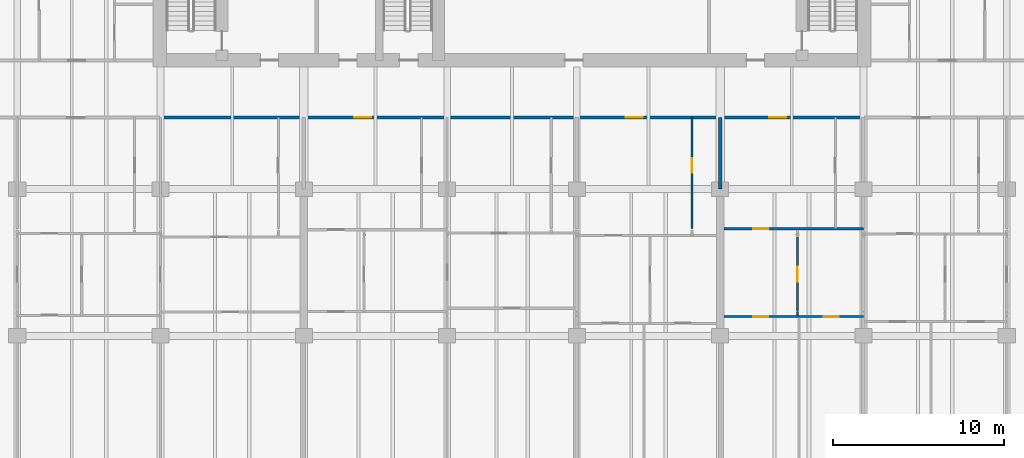
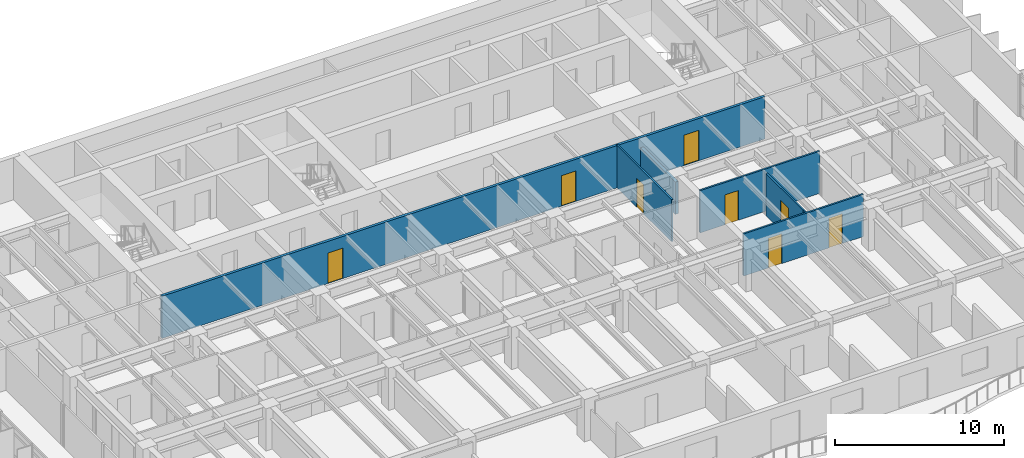
# One storey, part 10 of 19: 8 doors, 7 walls, 8 openings.
"""IFC4 building model written with IfcOpenShell, lengths in metres."""

from ifc_helpers import new_model, si_unit, direction, frame, frame_2d, origin, place, context, subcontext, project, spatial, rectangle, extrude, material, layer, layer_set, type_object, element, fill, save


model = new_model("IFC4")

# Units and contexts
model_context = context("Model", 3, precision=1e-05, world=origin(), true_north=direction((0.0, 1.0)))
body_context = subcontext(model_context, "Body", "Model", "MODEL_VIEW")
ifc_project = project(units=[si_unit("LENGTHUNIT", "METRE"), si_unit("AREAUNIT", "SQUARE_METRE"), si_unit("VOLUMEUNIT", "CUBIC_METRE"), si_unit("PLANEANGLEUNIT", "RADIAN"), si_unit("MASSUNIT", "GRAM", prefix="KILO")], contexts=[model_context])

# Site, building, storey
site_placement = place(None, origin())
site = spatial("IfcSite", under=ifc_project, at=site_placement, CompositionType="ELEMENT")
building_placement = place(site_placement, origin())
building = spatial("IfcBuilding", under=site, at=building_placement, Name="Caelmar Bay Residences", CompositionType="ELEMENT")
storey_placement = place(building_placement, frame((0.0, 0.0, 115.800048828125)))
storey = spatial("IfcBuildingStorey", under=building, at=storey_placement, Name="L31", CompositionType="ELEMENT", Elevation=115.800048828125)

# Wall, openings, doors
ifc_material_1 = material(Name="Double-stud acoustic fire-rated gypsum partition 180 mm")
ifc_layer_1 = layer(ifc_material_1, 0.179931640625)
ifc_layer_set_1 = layer_set([ifc_layer_1], Name="Double-stud acoustic fire-rated gypsum partition 180 mm")
wall_type_1 = type_object("IfcWallType", Name="W-COR-200", PredefinedType="PARTITIONING", material=ifc_layer_set_1)
wall_1_placement = place(storey_placement, frame((18.300048828125, 33.60009765625, 0.0), z_axis=(0.0, 0.0, 1.0), x_axis=(1.0, 0.0, 0.0)))
wall_1 = element("IfcWall", 1, at=wall_1_placement, inside=storey, type_object=wall_type_1, Name="L31 Partition Wall H141", PredefinedType="PARTITIONING", context=body_context, shape_type="SweptSolid", body=[
    extrude(rectangle(XDim=41.199951171875, YDim=0.179931640625, at=frame_2d((20.60009765625, 0.0))), origin(), (0.0, 0.0, 1.0), 3.050048828125),
])
opening_1_placement = place(wall_1_placement, frame((11.35009765625, 0.0, 0.0)))
opening_1 = element("IfcOpeningElement", 2, at=opening_1_placement, cuts=wall_1, Name="Opening D-L31-130", PredefinedType="OPENING", context=body_context, shape_type="SweptSolid", body=[
    extrude(rectangle(XDim=1.0, YDim=2.199951171875, at=frame_2d((0.5, 1.10009765625))), frame((0.0, 0.099853515625, 0.0), z_axis=(0.0, -1.0, 0.0), x_axis=(1.0, 0.0, 0.0)), (0.0, 0.0, 1.0), 0.199951171875),
])
opening_2_placement = place(wall_1_placement, frame((27.27490234375, 0.0, 0.0)))
opening_2 = element("IfcOpeningElement", 3, at=opening_2_placement, cuts=wall_1, Name="Opening D-L31-140", PredefinedType="OPENING", context=body_context, shape_type="SweptSolid", body=[
    extrude(rectangle(XDim=1.0, YDim=2.199951171875, at=frame_2d((0.5, 1.10009765625))), frame((0.0, 0.099853515625, 0.0), z_axis=(0.0, -1.0, 0.0), x_axis=(1.0, 0.0, 0.0)), (0.0, 0.0, 1.0), 0.199951171875),
])
opening_3_placement = place(wall_1_placement, frame((35.675048828125, 0.0, 0.0)))
opening_3 = element("IfcOpeningElement", 4, at=opening_3_placement, cuts=wall_1, Name="Opening D-L31-147", PredefinedType="OPENING", context=body_context, shape_type="SweptSolid", body=[
    extrude(rectangle(XDim=1.0, YDim=2.199951171875, at=frame_2d((0.5, 1.10009765625))), frame((0.0, 0.099853515625, 0.0), z_axis=(0.0, -1.0, 0.0), x_axis=(1.0, 0.0, 0.0)), (0.0, 0.0, 1.0), 0.199951171875),
])
ifc_material_2 = material(Name="Fire-rated steel and walnut architectural door assembly", Category="steel")
ifc_layer_2 = layer(ifc_material_2, 0.050048828125)
ifc_layer_set_2 = layer_set([ifc_layer_2], Name="Fire-rated steel and walnut architectural door assembly")
door_type_1 = type_object("IfcDoorType", Name="D-UNIT-1000", OperationType="NOTDEFINED", PredefinedType="DOOR", material=ifc_layer_set_2)
door_1_placement = place(opening_1_placement, origin())
door_1 = element("IfcDoor", 5, at=door_1_placement, inside=storey, type_object=door_type_1, Name="L31 Residence 02 Apartment Hall Door", OperationType="SINGLE_SWING_LEFT", OverallHeight=2.199951171875, OverallWidth=1.0, PredefinedType="DOOR", context=body_context, shape_type="SweptSolid", body=[
    extrude(rectangle(XDim=1.0, YDim=2.199951171875, at=frame_2d((0.5, 1.10009765625))), frame((0.0, 0.02490234375, 0.0), z_axis=(0.0, -1.0, 0.0), x_axis=(1.0, 0.0, 0.0)), (0.0, 0.0, 1.0), 0.050048828125),
])
fill(opening_1, door_1)
door_2_placement = place(opening_2_placement, origin())
door_2 = element("IfcDoor", 6, at=door_2_placement, inside=storey, type_object=door_type_1, Name="L31 Residence 03 Apartment Hall Door", OperationType="SINGLE_SWING_LEFT", OverallHeight=2.199951171875, OverallWidth=1.0, PredefinedType="DOOR", context=body_context, shape_type="SweptSolid", body=[
    extrude(rectangle(XDim=1.0, YDim=2.199951171875, at=frame_2d((0.5, 1.10009765625))), frame((0.0, 0.02490234375, 0.0), z_axis=(0.0, -1.0, 0.0), x_axis=(1.0, 0.0, 0.0)), (0.0, 0.0, 1.0), 0.050048828125),
])
fill(opening_2, door_2)
door_3_placement = place(opening_3_placement, origin())
door_3 = element("IfcDoor", 7, at=door_3_placement, inside=storey, type_object=door_type_1, Name="L31 Residence 04 Apartment Hall Door", OperationType="SINGLE_SWING_RIGHT", OverallHeight=2.199951171875, OverallWidth=1.0, PredefinedType="DOOR", context=body_context, shape_type="SweptSolid", body=[
    extrude(rectangle(XDim=1.0, YDim=2.199951171875, at=frame_2d((0.5, 1.10009765625))), frame((0.0, 0.02490234375, 0.0), z_axis=(0.0, -1.0, 0.0), x_axis=(1.0, 0.0, 0.0)), (0.0, 0.0, 1.0), 0.050048828125),
])
fill(opening_3, door_3)

# Wall, opening, door
ifc_material_3 = material(Name="Acoustic metal-stud gypsum partition 120 mm")
ifc_layer_3 = layer(ifc_material_3, 0.1201171875)
ifc_layer_set_3 = layer_set([ifc_layer_3], Name="Acoustic metal-stud gypsum partition 120 mm")
wall_type_2 = type_object("IfcWallType", Name="W-PRT-120", PredefinedType="PARTITIONING", material=ifc_layer_set_3)
wall_2_placement = place(storey_placement, frame((49.449951171875, 27.080078125, 0.0), z_axis=(0.0, 0.0, 1.0), x_axis=(0.0, 1.0, 0.0)))
wall_2 = element("IfcWall", 8, at=wall_2_placement, inside=storey, type_object=wall_type_2, Name="L31 Partition Wall V072", PredefinedType="PARTITIONING", context=body_context, shape_type="SweptSolid", body=[
    extrude(rectangle(XDim=6.52001953125, YDim=0.1201171875, at=frame_2d((3.260009765625, 0.0))), origin(), (0.0, 0.0, 1.0), 3.050048828125),
])
opening_4_placement = place(wall_2_placement, frame((3.284912109375, 0.0, 0.0)))
opening_4 = element("IfcOpeningElement", 9, at=opening_4_placement, cuts=wall_2, Name="Opening D-L31-141", PredefinedType="OPENING", context=body_context, shape_type="SweptSolid", body=[
    extrude(rectangle(XDim=0.85009765625, YDim=2.10009765625, at=frame_2d((0.425048828125, 1.050048828125))), frame((0.0, 0.070068359375, 0.0), z_axis=(0.0, -1.0, 0.0), x_axis=(1.0, 0.0, 0.0)), (0.0, 0.0, 1.0), 0.14013671875),
])
ifc_material_4 = material(Name="Solid walnut timber interior door leaf and frame", Category="wood")
ifc_layer_4 = layer(ifc_material_4, 0.050048828125)
ifc_layer_set_4 = layer_set([ifc_layer_4], Name="Solid walnut timber interior door leaf and frame")
door_type_2 = type_object("IfcDoorType", Name="D-BATH-850", OperationType="NOTDEFINED", PredefinedType="DOOR", material=ifc_layer_set_4)
door_4_placement = place(opening_4_placement, origin())
door_4 = element("IfcDoor", 10, at=door_4_placement, inside=storey, type_object=door_type_2, Name="L31 Residence 03 Bathroom Door", OperationType="SINGLE_SWING_RIGHT", OverallHeight=2.10009765625, OverallWidth=0.85009765625, PredefinedType="DOOR", context=body_context, shape_type="SweptSolid", body=[
    extrude(rectangle(XDim=0.85009765625, YDim=2.10009765625, at=frame_2d((0.425048828125, 1.050048828125))), frame((0.0, 0.02490234375, 0.0), z_axis=(0.0, -1.0, 0.0), x_axis=(1.0, 0.0, 0.0)), (0.0, 0.0, 1.0), 0.050048828125),
])
fill(opening_4, door_4)

# Wall
wall_3_placement = place(storey_placement, frame((55.635986328125, 22.0, 0.0), z_axis=(0.0, 0.0, 1.0), x_axis=(0.0, 1.0, 0.0)))
element("IfcWall", 11, at=wall_3_placement, inside=storey, type_object=wall_type_2, Name="L31 Partition Wall V079", PredefinedType="PARTITIONING", context=body_context, shape_type="SweptSolid", body=[
    extrude(rectangle(XDim=0.199951171875, YDim=0.1201171875, at=frame_2d((0.10009765625, 0.0))), origin(), (0.0, 0.0, 1.0), 3.050048828125),
])

# Wall, opening, door
wall_4_placement = place(storey_placement, frame((55.635986328125, 22.219970703125, 0.0), z_axis=(0.0, 0.0, 1.0), x_axis=(0.0, 1.0, 0.0)))
wall_4 = element("IfcWall", 12, at=wall_4_placement, inside=storey, type_object=wall_type_2, Name="L31 Partition Wall V080", PredefinedType="PARTITIONING", context=body_context, shape_type="SweptSolid", body=[
    extrude(rectangle(XDim=4.380126953125, YDim=0.1201171875, at=frame_2d((2.18994140625, 0.0))), origin(), (0.0, 0.0, 1.0), 3.050048828125),
])
opening_5_placement = place(wall_4_placement, frame((1.739990234375, 0.0, 0.0)))
opening_5 = element("IfcOpeningElement", 13, at=opening_5_placement, cuts=wall_4, Name="Opening D-L31-150", PredefinedType="OPENING", context=body_context, shape_type="SweptSolid", body=[
    extrude(rectangle(XDim=0.89990234375, YDim=2.14990234375, at=frame_2d((0.449951171875, 1.074951171875))), frame((0.0, 0.070068359375, 0.0), z_axis=(0.0, -1.0, 0.0), x_axis=(1.0, 0.0, 0.0)), (0.0, 0.0, 1.0), 0.14013671875),
])
ifc_layer_5 = layer(ifc_material_4, 0.050048828125)
ifc_layer_set_5 = layer_set([ifc_layer_5], Name="Solid walnut timber interior door leaf and frame")
door_type_3 = type_object("IfcDoorType", Name="D-ROOM-900", OperationType="NOTDEFINED", PredefinedType="DOOR", material=ifc_layer_set_5)
door_5_placement = place(opening_5_placement, origin())
door_5 = element("IfcDoor", 14, at=door_5_placement, inside=storey, type_object=door_type_3, Name="L31 Residence 04 Private Meeting Room Door", OperationType="SINGLE_SWING_LEFT", OverallHeight=2.14990234375, OverallWidth=0.89990234375, PredefinedType="DOOR", context=body_context, shape_type="SweptSolid", body=[
    extrude(rectangle(XDim=0.89990234375, YDim=2.14990234375, at=frame_2d((0.449951171875, 1.074951171875))), frame((0.0, 0.02490234375, 0.0), z_axis=(0.0, -1.0, 0.0), x_axis=(1.0, 0.0, 0.0)), (0.0, 0.0, 1.0), 0.050048828125),
])
fill(opening_5, door_5)

# Wall, openings, doors
wall_5_placement = place(storey_placement, frame((51.320068359375, 21.929931640625, 0.0), z_axis=(0.0, 0.0, 1.0), x_axis=(1.0, 0.0, 0.0)))
wall_5 = element("IfcWall", 15, at=wall_5_placement, inside=storey, type_object=wall_type_2, Name="L31 Partition Wall H127", PredefinedType="PARTITIONING", context=body_context, shape_type="SweptSolid", body=[
    extrude(rectangle(XDim=8.179931640625, YDim=0.1201171875, at=frame_2d((4.08984375, 0.0))), origin(), (0.0, 0.0, 1.0), 3.050048828125),
])
opening_6_placement = place(wall_5_placement, frame((1.7080078125, 0.0, 0.0)))
opening_6 = element("IfcOpeningElement", 16, at=opening_6_placement, cuts=wall_5, Name="Opening D-L31-151", PredefinedType="OPENING", context=body_context, shape_type="SweptSolid", body=[
    extrude(rectangle(XDim=0.89990234375, YDim=2.14990234375, at=frame_2d((0.449951171875, 1.074951171875))), frame((0.0, 0.070068359375, 0.0), z_axis=(0.0, -1.0, 0.0), x_axis=(1.0, 0.0, 0.0)), (0.0, 0.0, 1.0), 0.14013671875),
])
opening_7_placement = place(wall_5_placement, frame((5.840087890625, 0.0, 0.0)))
opening_7 = element("IfcOpeningElement", 17, at=opening_7_placement, cuts=wall_5, Name="Opening D-L31-152", PredefinedType="OPENING", context=body_context, shape_type="SweptSolid", body=[
    extrude(rectangle(XDim=0.89990234375, YDim=2.14990234375, at=frame_2d((0.449951171875, 1.074951171875))), frame((0.0, 0.070068359375, 0.0), z_axis=(0.0, -1.0, 0.0), x_axis=(1.0, 0.0, 0.0)), (0.0, 0.0, 1.0), 0.14013671875),
])
door_6_placement = place(opening_6_placement, origin())
door_6 = element("IfcDoor", 18, at=door_6_placement, inside=storey, type_object=door_type_3, Name="L31 Residence 04 Living Room Door", OperationType="SINGLE_SWING_RIGHT", OverallHeight=2.14990234375, OverallWidth=0.89990234375, PredefinedType="DOOR", context=body_context, shape_type="SweptSolid", body=[
    extrude(rectangle(XDim=0.89990234375, YDim=2.14990234375, at=frame_2d((0.449951171875, 1.074951171875))), frame((0.0, 0.02490234375, 0.0), z_axis=(0.0, -1.0, 0.0), x_axis=(1.0, 0.0, 0.0)), (0.0, 0.0, 1.0), 0.050048828125),
])
fill(opening_6, door_6)
door_7_placement = place(opening_7_placement, origin())
door_7 = element("IfcDoor", 19, at=door_7_placement, inside=storey, type_object=door_type_3, Name="L31 Residence 04 Penthouse Sitting Room Door", OperationType="SINGLE_SWING_LEFT", OverallHeight=2.14990234375, OverallWidth=0.89990234375, PredefinedType="DOOR", context=body_context, shape_type="SweptSolid", body=[
    extrude(rectangle(XDim=0.89990234375, YDim=2.14990234375, at=frame_2d((0.449951171875, 1.074951171875))), frame((0.0, 0.02490234375, 0.0), z_axis=(0.0, -1.0, 0.0), x_axis=(1.0, 0.0, 0.0)), (0.0, 0.0, 1.0), 0.050048828125),
])
fill(opening_7, door_7)

# Wall, opening, door
wall_6_placement = place(storey_placement, frame((51.320068359375, 27.080078125, 0.0), z_axis=(0.0, 0.0, 1.0), x_axis=(1.0, 0.0, 0.0)))
wall_6 = element("IfcWall", 20, at=wall_6_placement, inside=storey, type_object=wall_type_2, Name="L31 Partition Wall H138", PredefinedType="PARTITIONING", context=body_context, shape_type="SweptSolid", body=[
    extrude(rectangle(XDim=8.179931640625, YDim=0.1201171875, at=frame_2d((4.08984375, 0.0))), origin(), (0.0, 0.0, 1.0), 3.050048828125),
])
opening_8_placement = place(wall_6_placement, frame((1.7080078125, 0.0, 0.0)))
opening_8 = element("IfcOpeningElement", 21, at=opening_8_placement, cuts=wall_6, Name="Opening D-L31-149", PredefinedType="OPENING", context=body_context, shape_type="SweptSolid", body=[
    extrude(rectangle(XDim=0.89990234375, YDim=2.14990234375, at=frame_2d((0.449951171875, 1.074951171875))), frame((0.0, 0.070068359375, 0.0), z_axis=(0.0, -1.0, 0.0), x_axis=(1.0, 0.0, 0.0)), (0.0, 0.0, 1.0), 0.14013671875),
])
door_8_placement = place(opening_8_placement, origin())
door_8 = element("IfcDoor", 22, at=door_8_placement, inside=storey, type_object=door_type_3, Name="L31 Residence 04 Kitchen Door", OperationType="SINGLE_SWING_RIGHT", OverallHeight=2.14990234375, OverallWidth=0.89990234375, PredefinedType="DOOR", context=body_context, shape_type="SweptSolid", body=[
    extrude(rectangle(XDim=0.89990234375, YDim=2.14990234375, at=frame_2d((0.449951171875, 1.074951171875))), frame((0.0, 0.02490234375, 0.0), z_axis=(0.0, -1.0, 0.0), x_axis=(1.0, 0.0, 0.0)), (0.0, 0.0, 1.0), 0.050048828125),
])
fill(opening_8, door_8)

# Wall
ifc_material_5 = material(Name="Acoustic twin-stud fire-rated inter-tenancy partition 200 mm")
ifc_layer_6 = layer(ifc_material_5, 0.199951171875)
ifc_layer_set_6 = layer_set([ifc_layer_6], Name="Acoustic twin-stud fire-rated inter-tenancy partition 200 mm")
wall_type_3 = type_object("IfcWallType", Name="W-PTY-200", PredefinedType="PARTITIONING", material=ifc_layer_set_6)
wall_7_placement = place(storey_placement, frame((51.10009765625, 29.405029296875, 0.0), z_axis=(0.0, 0.0, 1.0), x_axis=(0.0, 1.0, 0.0)))
element("IfcWall", 23, at=wall_7_placement, inside=storey, type_object=wall_type_3, Name="L31 Partition Wall V077", PredefinedType="PARTITIONING", context=body_context, shape_type="SweptSolid", body=[
    extrude(rectangle(XDim=4.195068359375, YDim=0.199951171875, at=frame_2d((2.09765625, 0.0))), origin(), (0.0, 0.0, 1.0), 2.3349609375),
])

save(model, "model.ifc")
